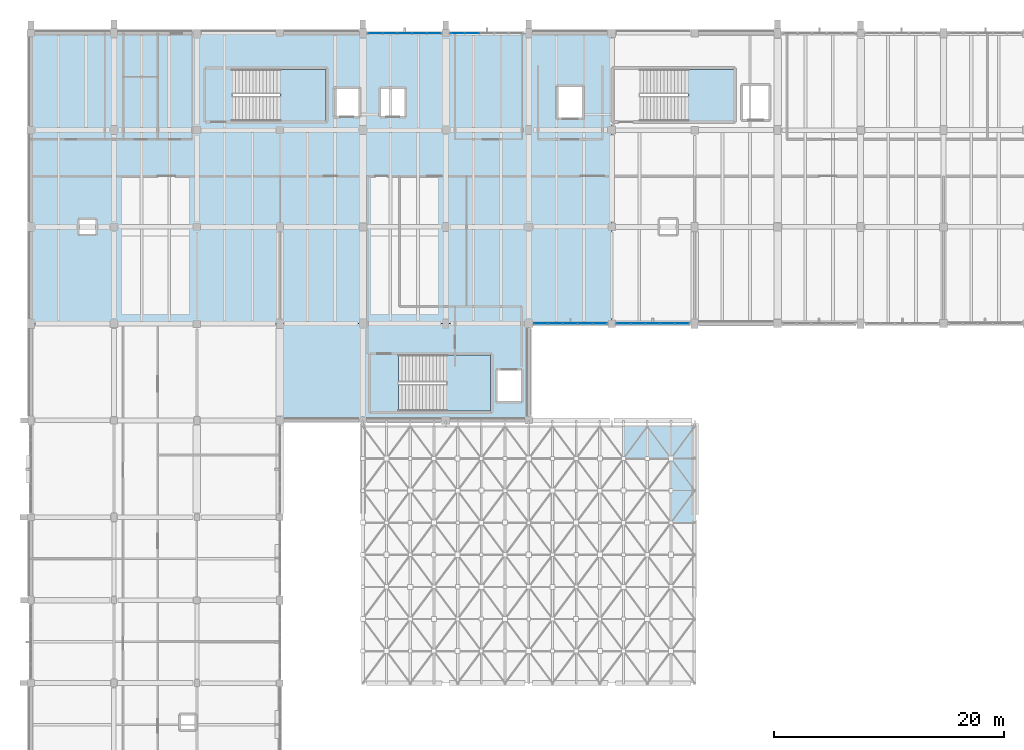
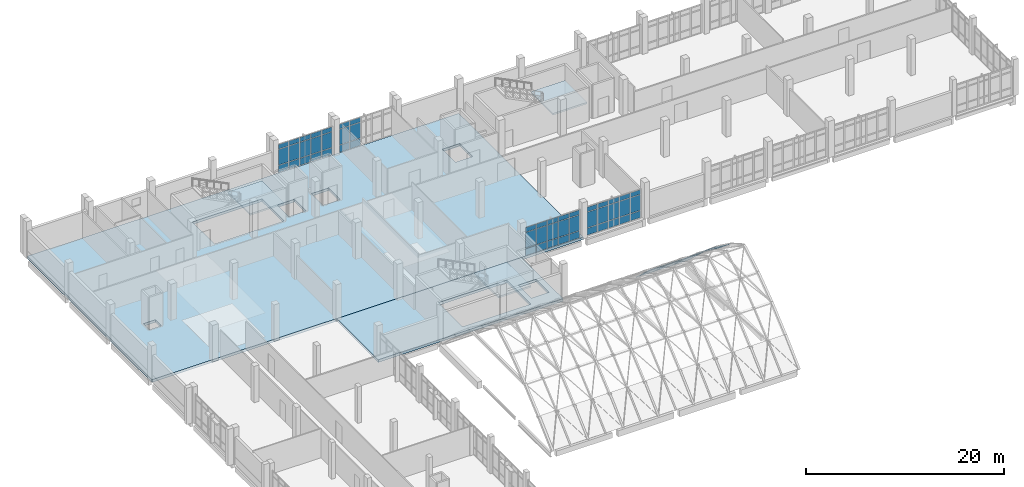
# One storey, part 65 of 87: 56 plates, 5 slabs, 7 elements without a shape of their own.
"""IFC4 building model written with IfcOpenShell, lengths in metres."""

from ifc_helpers import new_model, si_unit, direction, frame, origin, origin_2d, place, context, subcontext, project, spatial, polyline, rectangle, outline, extrude, material, layer, layer_set, type_object, element, aggregate, save


model = new_model("IFC4")

# Units and contexts
model_context = context("Model", 3, precision=1e-05, world=origin(), true_north=direction((0.0, 1.0)))
body_context = subcontext(model_context, "Body", "Model", "MODEL_VIEW")
ifc_project = project(units=[si_unit("LENGTHUNIT", "METRE"), si_unit("AREAUNIT", "SQUARE_METRE"), si_unit("VOLUMEUNIT", "CUBIC_METRE"), si_unit("PLANEANGLEUNIT", "RADIAN"), si_unit("MASSUNIT", "GRAM", prefix="KILO")], contexts=[model_context])

# Site, building, storey
site_placement = place(None, origin())
site = spatial("IfcSite", under=ifc_project, at=site_placement, CompositionType="ELEMENT")
building_placement = place(site_placement, origin())
building = spatial("IfcBuilding", under=site, at=building_placement, Name="Kalluvel Institute of Natural Sciences", CompositionType="ELEMENT")
storey_placement = place(building_placement, frame((0.0, 0.0, 18.89990234375)))
storey = spatial("IfcBuildingStorey", under=building, at=storey_placement, Name="L04", CompositionType="ELEMENT", Elevation=18.89990234375)

# Curtain wall, plates
ifc_material_1 = material(Name="Aluminium AW-6063 T6", Category="aluminium")
curtain_wall_type = type_object("IfcCurtainWallType", Name="CW-WET-45", PredefinedType="USERDEFINED", material=ifc_material_1)
curtain_wall_1_placement = place(storey_placement, origin())
curtain_wall_1 = element("IfcCurtainWall", 1, at=curtain_wall_1_placement, inside=storey, type_object=curtain_wall_type, Name="L04 Gothic lancet curtain wall CWA-L04-X432-Y1280", ObjectType="UNITISED LANCET FACADE", PredefinedType="USERDEFINED")
ifc_material_2 = material(Name="Solar-Control Low-E Laminated Glass", Category="glass")
ifc_layer_1 = layer(ifc_material_2, 0.031982421875)
ifc_layer_set_1 = layer_set([ifc_layer_1], Name="Solar-Control Low-E Laminated Glass")
plate_type_1 = type_object("IfcPlateType", Name="CWP-DGU-32", PredefinedType="CURTAIN_PANEL", material=ifc_layer_set_1)
plate_1_placement = place(storey_placement, frame((43.90380859375, 128.0, 0.065185546875), z_axis=(0.0, 0.0, 1.0), x_axis=(1.0, 0.0, 0.0)))
plate_1 = element("IfcPlate", 2, at=plate_1_placement, type_object=plate_type_1, Name="CW-01 panel 1.1", PredefinedType="CURTAIN_PANEL", context=body_context, shape_type="SweptSolid", body=[
    extrude(rectangle(XDim=1.177490234375, YDim=0.031982421875, at=origin_2d()), origin(), (0.0, 0.0, 1.0), 0.8525390625),
])
plate_2_placement = place(storey_placement, frame((43.90380859375, 128.0, 0.982666015625), z_axis=(0.0, 0.0, 1.0), x_axis=(1.0, 0.0, 0.0)))
plate_2 = element("IfcPlate", 3, at=plate_2_placement, type_object=plate_type_1, Name="CW-01 panel 1.2", PredefinedType="CURTAIN_PANEL", context=body_context, shape_type="SweptSolid", body=[
    extrude(rectangle(XDim=1.177490234375, YDim=0.031982421875, at=origin_2d()), origin(), (0.0, 0.0, 1.0), 1.9150390625),
])
plate_3_placement = place(storey_placement, frame((43.90380859375, 128.0, 2.96240234375), z_axis=(0.0, 0.0, 1.0), x_axis=(1.0, 0.0, 0.0)))
plate_3 = element("IfcPlate", 4, at=plate_3_placement, type_object=plate_type_1, Name="CW-01 panel 1.3", PredefinedType="CURTAIN_PANEL", context=body_context, shape_type="SweptSolid", body=[
    extrude(rectangle(XDim=1.177490234375, YDim=0.031982421875, at=origin_2d()), origin(), (0.0, 0.0, 1.0), 0.552490234375),
])
plate_4_placement = place(storey_placement, frame((45.16259765625, 128.0, 0.065185546875), z_axis=(0.0, 0.0, 1.0), x_axis=(1.0, 0.0, 0.0)))
plate_4 = element("IfcPlate", 5, at=plate_4_placement, type_object=plate_type_1, Name="CW-01 panel 2.1", PredefinedType="CURTAIN_PANEL", context=body_context, shape_type="SweptSolid", body=[
    extrude(rectangle(XDim=1.2099609375, YDim=0.031982421875, at=origin_2d()), origin(), (0.0, 0.0, 1.0), 0.8525390625),
])
plate_5_placement = place(storey_placement, frame((45.16259765625, 128.0, 0.982666015625), z_axis=(0.0, 0.0, 1.0), x_axis=(1.0, 0.0, 0.0)))
plate_5 = element("IfcPlate", 6, at=plate_5_placement, type_object=plate_type_1, Name="CW-01 panel 2.2", PredefinedType="CURTAIN_PANEL", context=body_context, shape_type="SweptSolid", body=[
    extrude(rectangle(XDim=1.2099609375, YDim=0.031982421875, at=origin_2d()), origin(), (0.0, 0.0, 1.0), 1.9150390625),
])
plate_6_placement = place(storey_placement, frame((45.16259765625, 128.0, 2.96240234375), z_axis=(0.0, 0.0, 1.0), x_axis=(1.0, 0.0, 0.0)))
plate_6 = element("IfcPlate", 7, at=plate_6_placement, type_object=plate_type_1, Name="CW-01 panel 2.3", PredefinedType="CURTAIN_PANEL", context=body_context, shape_type="SweptSolid", body=[
    extrude(rectangle(XDim=1.2099609375, YDim=0.031982421875, at=origin_2d()), origin(), (0.0, 0.0, 1.0), 0.552490234375),
])
plate_7_placement = place(storey_placement, frame((46.4375, 128.0, 0.065185546875), z_axis=(0.0, 0.0, 1.0), x_axis=(1.0, 0.0, 0.0)))
plate_7 = element("IfcPlate", 8, at=plate_7_placement, type_object=plate_type_1, Name="CW-01 panel 3.1", PredefinedType="CURTAIN_PANEL", context=body_context, shape_type="SweptSolid", body=[
    extrude(rectangle(XDim=1.2099609375, YDim=0.031982421875, at=origin_2d()), origin(), (0.0, 0.0, 1.0), 0.8525390625),
])
plate_8_placement = place(storey_placement, frame((46.4375, 128.0, 0.982666015625), z_axis=(0.0, 0.0, 1.0), x_axis=(1.0, 0.0, 0.0)))
plate_8 = element("IfcPlate", 9, at=plate_8_placement, type_object=plate_type_1, Name="CW-01 panel 3.2", PredefinedType="CURTAIN_PANEL", context=body_context, shape_type="SweptSolid", body=[
    extrude(rectangle(XDim=1.2099609375, YDim=0.031982421875, at=origin_2d()), origin(), (0.0, 0.0, 1.0), 1.9150390625),
])
plate_9_placement = place(storey_placement, frame((46.4375, 128.0, 2.96240234375), z_axis=(0.0, 0.0, 1.0), x_axis=(1.0, 0.0, 0.0)))
plate_9 = element("IfcPlate", 10, at=plate_9_placement, type_object=plate_type_1, Name="CW-01 panel 3.3", PredefinedType="CURTAIN_PANEL", context=body_context, shape_type="SweptSolid", body=[
    extrude(rectangle(XDim=1.2099609375, YDim=0.031982421875, at=origin_2d()), origin(), (0.0, 0.0, 1.0), 0.552490234375),
])
plate_10_placement = place(storey_placement, frame((47.71240234375, 128.0, 0.065185546875), z_axis=(0.0, 0.0, 1.0), x_axis=(1.0, 0.0, 0.0)))
plate_10 = element("IfcPlate", 11, at=plate_10_placement, type_object=plate_type_1, Name="CW-01 panel 4.1", PredefinedType="CURTAIN_PANEL", context=body_context, shape_type="SweptSolid", body=[
    extrude(rectangle(XDim=1.2099609375, YDim=0.031982421875, at=origin_2d()), origin(), (0.0, 0.0, 1.0), 0.8525390625),
])
plate_11_placement = place(storey_placement, frame((47.71240234375, 128.0, 0.982666015625), z_axis=(0.0, 0.0, 1.0), x_axis=(1.0, 0.0, 0.0)))
plate_11 = element("IfcPlate", 12, at=plate_11_placement, type_object=plate_type_1, Name="CW-01 panel 4.2", PredefinedType="CURTAIN_PANEL", context=body_context, shape_type="SweptSolid", body=[
    extrude(rectangle(XDim=1.2099609375, YDim=0.031982421875, at=origin_2d()), origin(), (0.0, 0.0, 1.0), 1.9150390625),
])
plate_12_placement = place(storey_placement, frame((47.71240234375, 128.0, 2.96240234375), z_axis=(0.0, 0.0, 1.0), x_axis=(1.0, 0.0, 0.0)))
plate_12 = element("IfcPlate", 13, at=plate_12_placement, type_object=plate_type_1, Name="CW-01 panel 4.3", PredefinedType="CURTAIN_PANEL", context=body_context, shape_type="SweptSolid", body=[
    extrude(rectangle(XDim=1.2099609375, YDim=0.031982421875, at=origin_2d()), origin(), (0.0, 0.0, 1.0), 0.552490234375),
])
plate_13_placement = place(storey_placement, frame((48.97119140625, 128.0, 0.065185546875), z_axis=(0.0, 0.0, 1.0), x_axis=(1.0, 0.0, 0.0)))
plate_13 = element("IfcPlate", 14, at=plate_13_placement, type_object=plate_type_1, Name="CW-01 panel 5.1", PredefinedType="CURTAIN_PANEL", context=body_context, shape_type="SweptSolid", body=[
    extrude(rectangle(XDim=1.177490234375, YDim=0.031982421875, at=origin_2d()), origin(), (0.0, 0.0, 1.0), 0.8525390625),
])
plate_14_placement = place(storey_placement, frame((48.97119140625, 128.0, 0.982666015625), z_axis=(0.0, 0.0, 1.0), x_axis=(1.0, 0.0, 0.0)))
plate_14 = element("IfcPlate", 15, at=plate_14_placement, type_object=plate_type_1, Name="CW-01 panel 5.2", PredefinedType="CURTAIN_PANEL", context=body_context, shape_type="SweptSolid", body=[
    extrude(rectangle(XDim=1.177490234375, YDim=0.031982421875, at=origin_2d()), origin(), (0.0, 0.0, 1.0), 1.9150390625),
])
plate_15_placement = place(storey_placement, frame((48.97119140625, 128.0, 2.96240234375), z_axis=(0.0, 0.0, 1.0), x_axis=(1.0, 0.0, 0.0)))
plate_15 = element("IfcPlate", 16, at=plate_15_placement, type_object=plate_type_1, Name="CW-01 panel 5.3", PredefinedType="CURTAIN_PANEL", context=body_context, shape_type="SweptSolid", body=[
    extrude(rectangle(XDim=1.177490234375, YDim=0.031982421875, at=origin_2d()), origin(), (0.0, 0.0, 1.0), 0.552490234375),
])
aggregate(curtain_wall_1, [plate_1, plate_2, plate_3, plate_4, plate_5, plate_6, plate_7, plate_8, plate_9, plate_10, plate_11, plate_12, plate_13, plate_14, plate_15])

curtain_wall_2_placement = place(storey_placement, origin())
curtain_wall_2 = element("IfcCurtainWall", 17, at=curtain_wall_2_placement, inside=storey, type_object=curtain_wall_type, Name="L04 Gothic lancet curtain wall CWA-L04-X504-Y1280", ObjectType="UNITISED LANCET FACADE", PredefinedType="USERDEFINED")
plate_16_placement = place(storey_placement, frame((51.02880859375, 128.0, 0.065185546875), z_axis=(0.0, 0.0, 1.0), x_axis=(1.0, 0.0, 0.0)))
plate_16 = element("IfcPlate", 18, at=plate_16_placement, type_object=plate_type_1, Name="CW-01 panel 1.1", PredefinedType="CURTAIN_PANEL", context=body_context, shape_type="SweptSolid", body=[
    extrude(rectangle(XDim=1.177490234375, YDim=0.031982421875, at=origin_2d()), origin(), (0.0, 0.0, 1.0), 0.8525390625),
])
plate_17_placement = place(storey_placement, frame((51.02880859375, 128.0, 0.982666015625), z_axis=(0.0, 0.0, 1.0), x_axis=(1.0, 0.0, 0.0)))
plate_17 = element("IfcPlate", 19, at=plate_17_placement, type_object=plate_type_1, Name="CW-01 panel 1.2", PredefinedType="CURTAIN_PANEL", context=body_context, shape_type="SweptSolid", body=[
    extrude(rectangle(XDim=1.177490234375, YDim=0.031982421875, at=origin_2d()), origin(), (0.0, 0.0, 1.0), 1.9150390625),
])
plate_18_placement = place(storey_placement, frame((51.02880859375, 128.0, 2.96240234375), z_axis=(0.0, 0.0, 1.0), x_axis=(1.0, 0.0, 0.0)))
plate_18 = element("IfcPlate", 20, at=plate_18_placement, type_object=plate_type_1, Name="CW-01 panel 1.3", PredefinedType="CURTAIN_PANEL", context=body_context, shape_type="SweptSolid", body=[
    extrude(rectangle(XDim=1.177490234375, YDim=0.031982421875, at=origin_2d()), origin(), (0.0, 0.0, 1.0), 0.552490234375),
])
plate_19_placement = place(storey_placement, frame((52.28759765625, 128.0, 0.065185546875), z_axis=(0.0, 0.0, 1.0), x_axis=(1.0, 0.0, 0.0)))
plate_19 = element("IfcPlate", 21, at=plate_19_placement, type_object=plate_type_1, Name="CW-01 panel 2.1", PredefinedType="CURTAIN_PANEL", context=body_context, shape_type="SweptSolid", body=[
    extrude(rectangle(XDim=1.2099609375, YDim=0.031982421875, at=origin_2d()), origin(), (0.0, 0.0, 1.0), 0.8525390625),
])
plate_20_placement = place(storey_placement, frame((52.28759765625, 128.0, 0.982666015625), z_axis=(0.0, 0.0, 1.0), x_axis=(1.0, 0.0, 0.0)))
plate_20 = element("IfcPlate", 22, at=plate_20_placement, type_object=plate_type_1, Name="CW-01 panel 2.2", PredefinedType="CURTAIN_PANEL", context=body_context, shape_type="SweptSolid", body=[
    extrude(rectangle(XDim=1.2099609375, YDim=0.031982421875, at=origin_2d()), origin(), (0.0, 0.0, 1.0), 1.9150390625),
])
plate_21_placement = place(storey_placement, frame((52.28759765625, 128.0, 2.96240234375), z_axis=(0.0, 0.0, 1.0), x_axis=(1.0, 0.0, 0.0)))
plate_21 = element("IfcPlate", 23, at=plate_21_placement, type_object=plate_type_1, Name="CW-01 panel 2.3", PredefinedType="CURTAIN_PANEL", context=body_context, shape_type="SweptSolid", body=[
    extrude(rectangle(XDim=1.2099609375, YDim=0.031982421875, at=origin_2d()), origin(), (0.0, 0.0, 1.0), 0.552490234375),
])
aggregate(curtain_wall_2, [plate_16, plate_17, plate_18, plate_19, plate_20, plate_21])

curtain_wall_3_placement = place(storey_placement, origin())
curtain_wall_3 = element("IfcCurtainWall", 24, at=curtain_wall_3_placement, inside=storey, type_object=curtain_wall_type, Name="L04 Gothic lancet curtain wall CWA-L04-X576-Y1028", ObjectType="UNITISED LANCET FACADE", PredefinedType="USERDEFINED")
plate_22_placement = place(storey_placement, frame((58.2587890625, 102.800048828125, 0.065185546875), z_axis=(0.0, 0.0, 1.0), x_axis=(1.0, 0.0, 0.0)))
plate_22 = element("IfcPlate", 25, at=plate_22_placement, type_object=plate_type_1, Name="CW-01 panel 1.1", PredefinedType="CURTAIN_PANEL", context=body_context, shape_type="SweptSolid", body=[
    extrude(rectangle(XDim=1.1875, YDim=0.031982421875, at=origin_2d()), origin(), (0.0, 0.0, 1.0), 0.8525390625),
])
plate_23_placement = place(storey_placement, frame((58.2587890625, 102.800048828125, 0.982666015625), z_axis=(0.0, 0.0, 1.0), x_axis=(1.0, 0.0, 0.0)))
plate_23 = element("IfcPlate", 26, at=plate_23_placement, type_object=plate_type_1, Name="CW-01 panel 1.2", PredefinedType="CURTAIN_PANEL", context=body_context, shape_type="SweptSolid", body=[
    extrude(rectangle(XDim=1.1875, YDim=0.031982421875, at=origin_2d()), origin(), (0.0, 0.0, 1.0), 1.9150390625),
])
plate_24_placement = place(storey_placement, frame((58.2587890625, 102.800048828125, 2.96240234375), z_axis=(0.0, 0.0, 1.0), x_axis=(1.0, 0.0, 0.0)))
plate_24 = element("IfcPlate", 27, at=plate_24_placement, type_object=plate_type_1, Name="CW-01 panel 1.3", PredefinedType="CURTAIN_PANEL", context=body_context, shape_type="SweptSolid", body=[
    extrude(rectangle(XDim=1.1875, YDim=0.031982421875, at=origin_2d()), origin(), (0.0, 0.0, 1.0), 0.552490234375),
])
plate_25_placement = place(storey_placement, frame((59.527587890625, 102.800048828125, 0.065185546875), z_axis=(0.0, 0.0, 1.0), x_axis=(1.0, 0.0, 0.0)))
plate_25 = element("IfcPlate", 28, at=plate_25_placement, type_object=plate_type_1, Name="CW-01 panel 2.1", PredefinedType="CURTAIN_PANEL", context=body_context, shape_type="SweptSolid", body=[
    extrude(rectangle(XDim=1.219970703125, YDim=0.031982421875, at=origin_2d()), origin(), (0.0, 0.0, 1.0), 0.8525390625),
])
plate_26_placement = place(storey_placement, frame((59.527587890625, 102.800048828125, 0.982666015625), z_axis=(0.0, 0.0, 1.0), x_axis=(1.0, 0.0, 0.0)))
plate_26 = element("IfcPlate", 29, at=plate_26_placement, type_object=plate_type_1, Name="CW-01 panel 2.2", PredefinedType="CURTAIN_PANEL", context=body_context, shape_type="SweptSolid", body=[
    extrude(rectangle(XDim=1.219970703125, YDim=0.031982421875, at=origin_2d()), origin(), (0.0, 0.0, 1.0), 1.9150390625),
])
plate_27_placement = place(storey_placement, frame((59.527587890625, 102.800048828125, 2.96240234375), z_axis=(0.0, 0.0, 1.0), x_axis=(1.0, 0.0, 0.0)))
plate_27 = element("IfcPlate", 30, at=plate_27_placement, type_object=plate_type_1, Name="CW-01 panel 2.3", PredefinedType="CURTAIN_PANEL", context=body_context, shape_type="SweptSolid", body=[
    extrude(rectangle(XDim=1.219970703125, YDim=0.031982421875, at=origin_2d()), origin(), (0.0, 0.0, 1.0), 0.552490234375),
])
plate_28_placement = place(storey_placement, frame((60.8125, 102.800048828125, 0.065185546875), z_axis=(0.0, 0.0, 1.0), x_axis=(1.0, 0.0, 0.0)))
plate_28 = element("IfcPlate", 31, at=plate_28_placement, type_object=plate_type_1, Name="CW-01 panel 3.1", PredefinedType="CURTAIN_PANEL", context=body_context, shape_type="SweptSolid", body=[
    extrude(rectangle(XDim=1.219970703125, YDim=0.031982421875, at=origin_2d()), origin(), (0.0, 0.0, 1.0), 0.8525390625),
])
plate_29_placement = place(storey_placement, frame((60.8125, 102.800048828125, 0.982666015625), z_axis=(0.0, 0.0, 1.0), x_axis=(1.0, 0.0, 0.0)))
plate_29 = element("IfcPlate", 32, at=plate_29_placement, type_object=plate_type_1, Name="CW-01 panel 3.2", PredefinedType="CURTAIN_PANEL", context=body_context, shape_type="SweptSolid", body=[
    extrude(rectangle(XDim=1.219970703125, YDim=0.031982421875, at=origin_2d()), origin(), (0.0, 0.0, 1.0), 1.9150390625),
])
plate_30_placement = place(storey_placement, frame((60.8125, 102.800048828125, 2.96240234375), z_axis=(0.0, 0.0, 1.0), x_axis=(1.0, 0.0, 0.0)))
plate_30 = element("IfcPlate", 33, at=plate_30_placement, type_object=plate_type_1, Name="CW-01 panel 3.3", PredefinedType="CURTAIN_PANEL", context=body_context, shape_type="SweptSolid", body=[
    extrude(rectangle(XDim=1.219970703125, YDim=0.031982421875, at=origin_2d()), origin(), (0.0, 0.0, 1.0), 0.552490234375),
])
plate_31_placement = place(storey_placement, frame((62.097412109375, 102.800048828125, 0.065185546875), z_axis=(0.0, 0.0, 1.0), x_axis=(1.0, 0.0, 0.0)))
plate_31 = element("IfcPlate", 34, at=plate_31_placement, type_object=plate_type_1, Name="CW-01 panel 4.1", PredefinedType="CURTAIN_PANEL", context=body_context, shape_type="SweptSolid", body=[
    extrude(rectangle(XDim=1.219970703125, YDim=0.031982421875, at=origin_2d()), origin(), (0.0, 0.0, 1.0), 0.8525390625),
])
plate_32_placement = place(storey_placement, frame((62.097412109375, 102.800048828125, 0.982666015625), z_axis=(0.0, 0.0, 1.0), x_axis=(1.0, 0.0, 0.0)))
plate_32 = element("IfcPlate", 35, at=plate_32_placement, type_object=plate_type_1, Name="CW-01 panel 4.2", PredefinedType="CURTAIN_PANEL", context=body_context, shape_type="SweptSolid", body=[
    extrude(rectangle(XDim=1.219970703125, YDim=0.031982421875, at=origin_2d()), origin(), (0.0, 0.0, 1.0), 1.9150390625),
])
plate_33_placement = place(storey_placement, frame((62.097412109375, 102.800048828125, 2.96240234375), z_axis=(0.0, 0.0, 1.0), x_axis=(1.0, 0.0, 0.0)))
plate_33 = element("IfcPlate", 36, at=plate_33_placement, type_object=plate_type_1, Name="CW-01 panel 4.3", PredefinedType="CURTAIN_PANEL", context=body_context, shape_type="SweptSolid", body=[
    extrude(rectangle(XDim=1.219970703125, YDim=0.031982421875, at=origin_2d()), origin(), (0.0, 0.0, 1.0), 0.552490234375),
])
plate_34_placement = place(storey_placement, frame((63.3662109375, 102.800048828125, 0.065185546875), z_axis=(0.0, 0.0, 1.0), x_axis=(1.0, 0.0, 0.0)))
plate_34 = element("IfcPlate", 37, at=plate_34_placement, type_object=plate_type_1, Name="CW-01 panel 5.1", PredefinedType="CURTAIN_PANEL", context=body_context, shape_type="SweptSolid", body=[
    extrude(rectangle(XDim=1.1875, YDim=0.031982421875, at=origin_2d()), origin(), (0.0, 0.0, 1.0), 0.8525390625),
])
plate_35_placement = place(storey_placement, frame((63.3662109375, 102.800048828125, 0.982666015625), z_axis=(0.0, 0.0, 1.0), x_axis=(1.0, 0.0, 0.0)))
plate_35 = element("IfcPlate", 38, at=plate_35_placement, type_object=plate_type_1, Name="CW-01 panel 5.2", PredefinedType="CURTAIN_PANEL", context=body_context, shape_type="SweptSolid", body=[
    extrude(rectangle(XDim=1.1875, YDim=0.031982421875, at=origin_2d()), origin(), (0.0, 0.0, 1.0), 1.9150390625),
])
plate_36_placement = place(storey_placement, frame((63.3662109375, 102.800048828125, 2.96240234375), z_axis=(0.0, 0.0, 1.0), x_axis=(1.0, 0.0, 0.0)))
plate_36 = element("IfcPlate", 39, at=plate_36_placement, type_object=plate_type_1, Name="CW-01 panel 5.3", PredefinedType="CURTAIN_PANEL", context=body_context, shape_type="SweptSolid", body=[
    extrude(rectangle(XDim=1.1875, YDim=0.031982421875, at=origin_2d()), origin(), (0.0, 0.0, 1.0), 0.552490234375),
])
aggregate(curtain_wall_3, [plate_22, plate_23, plate_24, plate_25, plate_26, plate_27, plate_28, plate_29, plate_30, plate_31, plate_32, plate_33, plate_34, plate_35, plate_36])

curtain_wall_4_placement = place(storey_placement, origin())
curtain_wall_4 = element("IfcCurtainWall", 40, at=curtain_wall_4_placement, inside=storey, type_object=curtain_wall_type, Name="L04 Gothic lancet curtain wall CWA-L04-X648-Y1028", ObjectType="UNITISED LANCET FACADE", PredefinedType="USERDEFINED")
plate_37_placement = place(storey_placement, frame((65.4287109375, 102.800048828125, 0.065185546875), z_axis=(0.0, 0.0, 1.0), x_axis=(1.0, 0.0, 0.0)))
plate_37 = element("IfcPlate", 41, at=plate_37_placement, type_object=plate_type_1, Name="CW-01 panel 1.1", PredefinedType="CURTAIN_PANEL", context=body_context, shape_type="SweptSolid", body=[
    extrude(rectangle(XDim=1.177490234375, YDim=0.031982421875, at=origin_2d()), origin(), (0.0, 0.0, 1.0), 0.8525390625),
])
plate_38_placement = place(storey_placement, frame((65.4287109375, 102.800048828125, 0.982666015625), z_axis=(0.0, 0.0, 1.0), x_axis=(1.0, 0.0, 0.0)))
plate_38 = element("IfcPlate", 42, at=plate_38_placement, type_object=plate_type_1, Name="CW-01 panel 1.2", PredefinedType="CURTAIN_PANEL", context=body_context, shape_type="SweptSolid", body=[
    extrude(rectangle(XDim=1.177490234375, YDim=0.031982421875, at=origin_2d()), origin(), (0.0, 0.0, 1.0), 1.9150390625),
])
plate_39_placement = place(storey_placement, frame((65.4287109375, 102.800048828125, 2.96240234375), z_axis=(0.0, 0.0, 1.0), x_axis=(1.0, 0.0, 0.0)))
plate_39 = element("IfcPlate", 43, at=plate_39_placement, type_object=plate_type_1, Name="CW-01 panel 1.3", PredefinedType="CURTAIN_PANEL", context=body_context, shape_type="SweptSolid", body=[
    extrude(rectangle(XDim=1.177490234375, YDim=0.031982421875, at=origin_2d()), origin(), (0.0, 0.0, 1.0), 0.552490234375),
])
plate_40_placement = place(storey_placement, frame((66.6875, 102.800048828125, 0.065185546875), z_axis=(0.0, 0.0, 1.0), x_axis=(1.0, 0.0, 0.0)))
plate_40 = element("IfcPlate", 44, at=plate_40_placement, type_object=plate_type_1, Name="CW-01 panel 2.1", PredefinedType="CURTAIN_PANEL", context=body_context, shape_type="SweptSolid", body=[
    extrude(rectangle(XDim=1.2099609375, YDim=0.031982421875, at=origin_2d()), origin(), (0.0, 0.0, 1.0), 0.8525390625),
])
plate_41_placement = place(storey_placement, frame((66.6875, 102.800048828125, 0.982666015625), z_axis=(0.0, 0.0, 1.0), x_axis=(1.0, 0.0, 0.0)))
plate_41 = element("IfcPlate", 45, at=plate_41_placement, type_object=plate_type_1, Name="CW-01 panel 2.2", PredefinedType="CURTAIN_PANEL", context=body_context, shape_type="SweptSolid", body=[
    extrude(rectangle(XDim=1.2099609375, YDim=0.031982421875, at=origin_2d()), origin(), (0.0, 0.0, 1.0), 1.9150390625),
])
plate_42_placement = place(storey_placement, frame((66.6875, 102.800048828125, 2.96240234375), z_axis=(0.0, 0.0, 1.0), x_axis=(1.0, 0.0, 0.0)))
plate_42 = element("IfcPlate", 46, at=plate_42_placement, type_object=plate_type_1, Name="CW-01 panel 2.3", PredefinedType="CURTAIN_PANEL", context=body_context, shape_type="SweptSolid", body=[
    extrude(rectangle(XDim=1.2099609375, YDim=0.031982421875, at=origin_2d()), origin(), (0.0, 0.0, 1.0), 0.552490234375),
])
plate_43_placement = place(storey_placement, frame((67.96240234375, 102.800048828125, 0.065185546875), z_axis=(0.0, 0.0, 1.0), x_axis=(1.0, 0.0, 0.0)))
plate_43 = element("IfcPlate", 47, at=plate_43_placement, type_object=plate_type_1, Name="CW-01 panel 3.1", PredefinedType="CURTAIN_PANEL", context=body_context, shape_type="SweptSolid", body=[
    extrude(rectangle(XDim=1.2099609375, YDim=0.031982421875, at=origin_2d()), origin(), (0.0, 0.0, 1.0), 0.8525390625),
])
plate_44_placement = place(storey_placement, frame((67.96240234375, 102.800048828125, 0.982666015625), z_axis=(0.0, 0.0, 1.0), x_axis=(1.0, 0.0, 0.0)))
plate_44 = element("IfcPlate", 48, at=plate_44_placement, type_object=plate_type_1, Name="CW-01 panel 3.2", PredefinedType="CURTAIN_PANEL", context=body_context, shape_type="SweptSolid", body=[
    extrude(rectangle(XDim=1.2099609375, YDim=0.031982421875, at=origin_2d()), origin(), (0.0, 0.0, 1.0), 1.9150390625),
])
plate_45_placement = place(storey_placement, frame((67.96240234375, 102.800048828125, 2.96240234375), z_axis=(0.0, 0.0, 1.0), x_axis=(1.0, 0.0, 0.0)))
plate_45 = element("IfcPlate", 49, at=plate_45_placement, type_object=plate_type_1, Name="CW-01 panel 3.3", PredefinedType="CURTAIN_PANEL", context=body_context, shape_type="SweptSolid", body=[
    extrude(rectangle(XDim=1.2099609375, YDim=0.031982421875, at=origin_2d()), origin(), (0.0, 0.0, 1.0), 0.552490234375),
])
plate_46_placement = place(storey_placement, frame((69.237548828125, 102.800048828125, 0.065185546875), z_axis=(0.0, 0.0, 1.0), x_axis=(1.0, 0.0, 0.0)))
plate_46 = element("IfcPlate", 50, at=plate_46_placement, type_object=plate_type_1, Name="CW-01 panel 4.1", PredefinedType="CURTAIN_PANEL", context=body_context, shape_type="SweptSolid", body=[
    extrude(rectangle(XDim=1.2099609375, YDim=0.031982421875, at=origin_2d()), origin(), (0.0, 0.0, 1.0), 0.8525390625),
])
plate_47_placement = place(storey_placement, frame((69.237548828125, 102.800048828125, 0.982666015625), z_axis=(0.0, 0.0, 1.0), x_axis=(1.0, 0.0, 0.0)))
plate_47 = element("IfcPlate", 51, at=plate_47_placement, type_object=plate_type_1, Name="CW-01 panel 4.2", PredefinedType="CURTAIN_PANEL", context=body_context, shape_type="SweptSolid", body=[
    extrude(rectangle(XDim=1.2099609375, YDim=0.031982421875, at=origin_2d()), origin(), (0.0, 0.0, 1.0), 1.9150390625),
])
plate_48_placement = place(storey_placement, frame((69.237548828125, 102.800048828125, 2.96240234375), z_axis=(0.0, 0.0, 1.0), x_axis=(1.0, 0.0, 0.0)))
plate_48 = element("IfcPlate", 52, at=plate_48_placement, type_object=plate_type_1, Name="CW-01 panel 4.3", PredefinedType="CURTAIN_PANEL", context=body_context, shape_type="SweptSolid", body=[
    extrude(rectangle(XDim=1.2099609375, YDim=0.031982421875, at=origin_2d()), origin(), (0.0, 0.0, 1.0), 0.552490234375),
])
plate_49_placement = place(storey_placement, frame((70.496337890625, 102.800048828125, 0.065185546875), z_axis=(0.0, 0.0, 1.0), x_axis=(1.0, 0.0, 0.0)))
plate_49 = element("IfcPlate", 53, at=plate_49_placement, type_object=plate_type_1, Name="CW-01 panel 5.1", PredefinedType="CURTAIN_PANEL", context=body_context, shape_type="SweptSolid", body=[
    extrude(rectangle(XDim=1.177490234375, YDim=0.031982421875, at=origin_2d()), origin(), (0.0, 0.0, 1.0), 0.8525390625),
])
plate_50_placement = place(storey_placement, frame((70.496337890625, 102.800048828125, 0.982666015625), z_axis=(0.0, 0.0, 1.0), x_axis=(1.0, 0.0, 0.0)))
plate_50 = element("IfcPlate", 54, at=plate_50_placement, type_object=plate_type_1, Name="CW-01 panel 5.2", PredefinedType="CURTAIN_PANEL", context=body_context, shape_type="SweptSolid", body=[
    extrude(rectangle(XDim=1.177490234375, YDim=0.031982421875, at=origin_2d()), origin(), (0.0, 0.0, 1.0), 1.9150390625),
])
plate_51_placement = place(storey_placement, frame((70.496337890625, 102.800048828125, 2.96240234375), z_axis=(0.0, 0.0, 1.0), x_axis=(1.0, 0.0, 0.0)))
plate_51 = element("IfcPlate", 55, at=plate_51_placement, type_object=plate_type_1, Name="CW-01 panel 5.3", PredefinedType="CURTAIN_PANEL", context=body_context, shape_type="SweptSolid", body=[
    extrude(rectangle(XDim=1.177490234375, YDim=0.031982421875, at=origin_2d()), origin(), (0.0, 0.0, 1.0), 0.552490234375),
])
aggregate(curtain_wall_4, [plate_37, plate_38, plate_39, plate_40, plate_41, plate_42, plate_43, plate_44, plate_45, plate_46, plate_47, plate_48, plate_49, plate_50, plate_51])

# Plates
ifc_layer_2 = layer(ifc_material_2, 0.035888671875)
ifc_layer_set_2 = layer_set([ifc_layer_2], Name="Solar-Control Low-E Laminated Glass")
plate_type_2 = type_object("IfcPlateType", Name="PL-VAULT-GLASS-36", PredefinedType="USERDEFINED", material=ifc_layer_set_2)
plate_52_placement = place(storey_placement, frame((65.4287109375, 91.094970703125, 2.6787109375), z_axis=(0.0, 0.680098507525, 0.73312074044), x_axis=(1.0, 0.0, 0.0)))
element("IfcPlate", 56, at=plate_52_placement, inside=storey, type_object=plate_type_2, Name="Atrium glass gridshell vault roof panel 12.8", ObjectType="VAULT GLAZING PANEL", PredefinedType="USERDEFINED", context=body_context, shape_type="SweptSolid", body=[
    extrude(outline(polyline([(0.0, 0.0), (2.056884765625, 0.0), (2.056884765625, 3.7987086652394155), (0.0, 3.7987086652394155), (0.0, 0.0)])), origin(), (0.0, 0.0, -1.0), 0.035888671875),
])
plate_53_placement = place(storey_placement, frame((67.485595703125, 91.094970703125, 2.6787109375), z_axis=(0.0, 0.680098507525, 0.73312074044), x_axis=(1.0, 0.0, 0.0)))
element("IfcPlate", 57, at=plate_53_placement, inside=storey, type_object=plate_type_2, Name="Atrium glass gridshell vault roof panel 13.8", ObjectType="VAULT GLAZING PANEL", PredefinedType="USERDEFINED", context=body_context, shape_type="SweptSolid", body=[
    extrude(outline(polyline([(0.0, 0.0), (2.057373046875, 0.0), (2.057373046875, 3.7987086652394155), (0.0, 3.7987086652394155), (0.0, 0.0)])), origin(), (0.0, 0.0, -1.0), 0.035888671875),
])
plate_54_placement = place(storey_placement, frame((69.54296875, 85.52490234375, 7.11328125), z_axis=(0.0, 0.591185879843, 0.806535340499), x_axis=(1.0, 0.0, 0.0)))
element("IfcPlate", 58, at=plate_54_placement, inside=storey, type_object=plate_type_2, Name="Atrium glass gridshell vault roof panel 14.6", ObjectType="VAULT GLAZING PANEL", PredefinedType="USERDEFINED", context=body_context, shape_type="SweptSolid", body=[
    extrude(outline(polyline([(0.0, 0.0), (2.05712890625, 0.0), (2.05712890625, 3.4532352274567204), (0.0, 3.4532352274567204), (0.0, 0.0)])), origin(), (0.0, 0.0, -1.0), 0.035888671875),
])
plate_55_placement = place(storey_placement, frame((69.54296875, 88.31005859375, 5.07177734375), z_axis=(0.0, 0.651732680748, 0.758448754264), x_axis=(1.0, 0.0, 0.0)))
element("IfcPlate", 59, at=plate_55_placement, inside=storey, type_object=plate_type_2, Name="Atrium glass gridshell vault roof panel 14.7", ObjectType="VAULT GLAZING PANEL", PredefinedType="USERDEFINED", context=body_context, shape_type="SweptSolid", body=[
    extrude(outline(polyline([(0.0, 0.0), (2.05712890625, 0.0), (2.05712890625, 3.6718527042442486), (0.0, 3.6718527042442486), (0.0, 0.0)])), origin(), (0.0, 0.0, -1.0), 0.035888671875),
])
plate_56_placement = place(storey_placement, frame((69.54296875, 91.094970703125, 2.6787109375), z_axis=(0.0, 0.680098507525, 0.73312074044), x_axis=(1.0, 0.0, 0.0)))
element("IfcPlate", 60, at=plate_56_placement, inside=storey, type_object=plate_type_2, Name="Atrium glass gridshell vault roof panel 14.8", ObjectType="VAULT GLAZING PANEL", PredefinedType="USERDEFINED", context=body_context, shape_type="SweptSolid", body=[
    extrude(outline(polyline([(0.0, 0.0), (2.05712890625, 0.0), (2.05712890625, 3.798708665239415), (0.0, 3.798708665239415), (0.0, 0.0)])), origin(), (0.0, 0.0, -1.0), 0.035888671875),
])

# Slabs
ifc_material_3 = material(Name="Concrete M40", Category="concrete")
ifc_layer_3 = layer(ifc_material_3, 0.320068359375)
ifc_layer_set_3 = layer_set([ifc_layer_3], Name="Concrete M40")
slab_type_1 = type_object("IfcSlabType", Name="SLB-WET-320", PredefinedType="FLOOR", material=ifc_layer_set_3)
slab_1_placement = place(storey_placement, frame((0.0, 0.0, -0.31982421875)))
element("IfcSlab", 61, at=slab_1_placement, inside=storey, type_object=slab_type_1, Name="L04 Wet Laboratory Waffle Floor Slab W", PredefinedType="FLOOR", context=body_context, shape_type="SweptSolid", body=[
    extrude(outline(polyline([(14.0, 102.800048828125), (64.39990234375, 102.800048828125), (64.39990234375, 128.0), (14.0, 128.0), (14.0, 102.800048828125)]), holes=[polyline([(61.820068359375, 120.679931640625), (59.780029296875, 120.679931640625), (59.780029296875, 123.320068359375), (61.820068359375, 123.320068359375), (61.820068359375, 120.679931640625)]), polyline([(46.419921875, 123.169921875), (46.419921875, 120.830078125), (44.3798828125, 120.830078125), (44.3798828125, 123.169921875), (46.419921875, 123.169921875)]), polyline([(42.419921875, 123.169921875), (42.419921875, 120.830078125), (40.3798828125, 120.830078125), (40.3798828125, 123.169921875), (42.419921875, 123.169921875)]), polyline([(39.60009765625, 120.39990234375), (31.468017578125, 120.39990234375), (31.468017578125, 124.8701171875), (39.60009765625, 124.8701171875), (39.60009765625, 120.39990234375)]), polyline([(19.60009765625, 111.800048828125), (19.60009765625, 110.60009765625), (18.199951171875, 110.60009765625), (18.199951171875, 111.800048828125), (19.60009765625, 111.800048828125)])]), origin(), (0.0, 0.0, 1.0), 0.31982421875),
])
slab_2_placement = place(storey_placement, frame((0.0, 0.0, -0.31982421875)))
element("IfcSlab", 62, at=slab_2_placement, inside=storey, type_object=slab_type_1, Name="L04 Fire-Tower Knuckle Lobby Slab", PredefinedType="FLOOR", context=body_context, shape_type="SweptSolid", body=[
    extrude(outline(polyline([(35.60009765625, 94.39990234375), (57.199951171875, 94.39990234375), (57.199951171875, 102.800048828125), (35.60009765625, 102.800048828125), (35.60009765625, 94.39990234375)]), holes=[polyline([(54.47998046875, 98.719970703125), (56.52001953125, 98.719970703125), (56.52001953125, 96.080078125), (54.47998046875, 96.080078125), (54.47998046875, 98.719970703125)]), polyline([(45.91796875, 100.070068359375), (53.89990234375, 100.070068359375), (53.89990234375, 95.199951171875), (45.91796875, 95.199951171875), (45.91796875, 100.070068359375)])]), origin(), (0.0, 0.0, 1.0), 0.31982421875),
])

# Stair, slab
stair_type_1 = type_object("IfcStairType", Name="STR-ST12-45", PredefinedType="HALF_TURN_STAIR", material=ifc_material_3)
stair_1_placement = place(storey_placement, origin())
stair_1 = element("IfcStair", 63, at=stair_1_placement, inside=storey, type_object=stair_type_1, Name="L04 Wet Wing West Protected Exit Stair ST1", PredefinedType="HALF_TURN_STAIR")
ifc_layer_4 = layer(ifc_material_3, 0.199951171875)
ifc_layer_set_4 = layer_set([ifc_layer_4], Name="Concrete M40")
slab_type_2 = type_object("IfcSlabType", Name="SLD-ST12", PredefinedType="LANDING", material=ifc_layer_set_4)
slab_3_placement = place(storey_placement, frame((0.0, 0.0, 2.050048828125)))
slab_3 = element("IfcSlab", 64, at=slab_3_placement, type_object=slab_type_2, Name="S1-45 landing 1", PredefinedType="LANDING", context=body_context, shape_type="SweptSolid", body=[
    extrude(outline(polyline([(35.632080078125, 120.39990234375), (39.60009765625, 120.39990234375), (39.60009765625, 124.8701171875), (35.632080078125, 124.8701171875), (35.632080078125, 120.39990234375)])), origin(), (0.0, 0.0, 1.0), 0.199951171875),
])
aggregate(stair_1, [slab_3])

stair_2_placement = place(storey_placement, origin())
stair_2 = element("IfcStair", 65, at=stair_2_placement, inside=storey, type_object=stair_type_1, Name="L04 Wet Wing East Protected Exit Stair ST2", PredefinedType="HALF_TURN_STAIR")
slab_4_placement = place(storey_placement, frame((0.0, 0.0, 2.050048828125)))
slab_4 = element("IfcSlab", 66, at=slab_4_placement, type_object=slab_type_2, Name="S1-45 landing 1", PredefinedType="LANDING", context=body_context, shape_type="SweptSolid", body=[
    extrude(outline(polyline([(71.031982421875, 120.39990234375), (75.0, 120.39990234375), (75.0, 124.8701171875), (71.031982421875, 124.8701171875), (71.031982421875, 120.39990234375)])), origin(), (0.0, 0.0, 1.0), 0.199951171875),
])
aggregate(stair_2, [slab_4])

stair_type_2 = type_object("IfcStairType", Name="STR-ST3-45", PredefinedType="HALF_TURN_STAIR", material=ifc_material_3)
stair_3_placement = place(storey_placement, origin())
stair_3 = element("IfcStair", 67, at=stair_3_placement, inside=storey, type_object=stair_type_2, Name="L04 Central Fire-Tower Protected Stair ST3", PredefinedType="HALF_TURN_STAIR")
ifc_layer_5 = layer(ifc_material_3, 0.199951171875)
ifc_layer_set_5 = layer_set([ifc_layer_5], Name="Concrete M40")
slab_type_3 = type_object("IfcSlabType", Name="SLD-ST3", PredefinedType="LANDING", material=ifc_layer_set_5)
slab_5_placement = place(storey_placement, frame((0.0, 0.0, 2.050048828125)))
slab_5 = element("IfcSlab", 68, at=slab_5_placement, type_object=slab_type_3, Name="S3-45 landing 1", PredefinedType="LANDING", context=body_context, shape_type="SweptSolid", body=[
    extrude(outline(polyline([(50.08203125, 95.199951171875), (53.89990234375, 95.199951171875), (53.89990234375, 100.070068359375), (50.08203125, 100.070068359375), (50.08203125, 95.199951171875)])), origin(), (0.0, 0.0, 1.0), 0.199951171875),
])
aggregate(stair_3, [slab_5])

save(model, "model.ifc")
